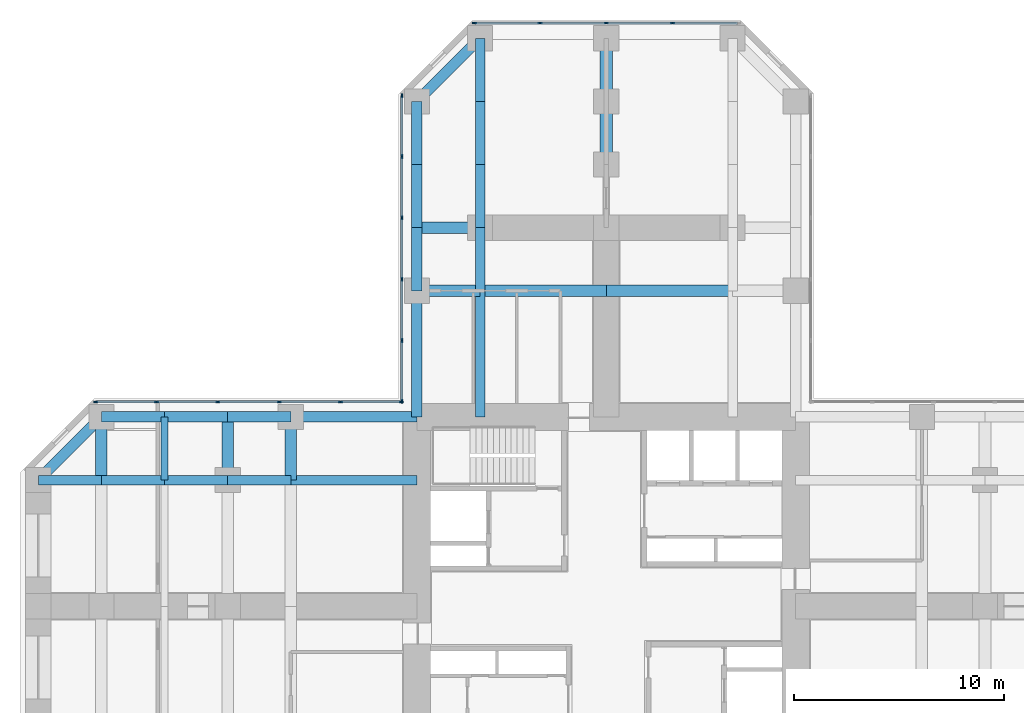
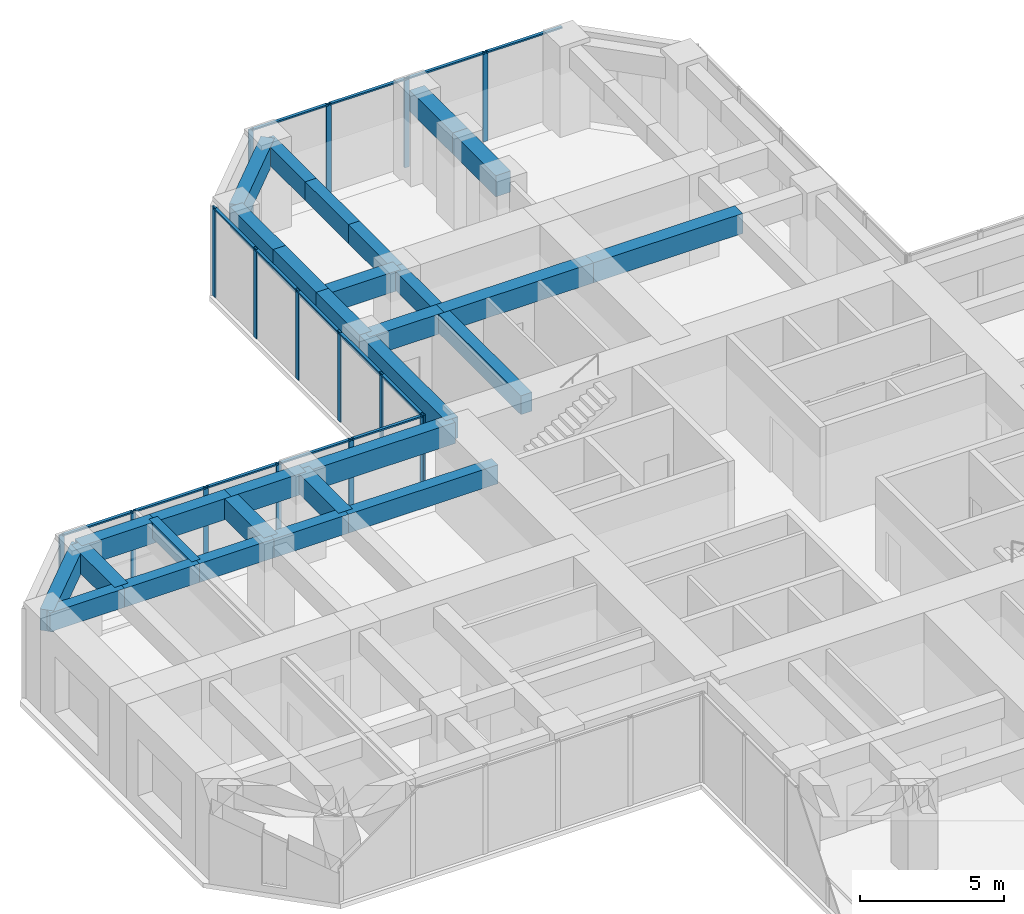
# One storey, part 5 of 12: 30 beams, 30 members, 3 elements without a shape of their own.
"""IFC4 building model written with IfcOpenShell, lengths in metres."""

import ifcopenshell
import ifcopenshell.guid

model = None  # the IFC model being written
_history = None  # IfcOwnerHistory: only IFC2X3 demands one
_inside = {}  # id of a spatial element -> (the spatial element, [elements in it])
_under = {}  # id of a project, library or spatial element -> (it, [spatial elements below it])
_declared = {}  # id of a project -> (the project, [libraries it declares])
_typed = {}  # id of a type object -> (the type object, [elements of that type])
_made_of = {}  # id of a material, layer set ... -> (it, [elements and type objects made of it])


def new_model(schema):
    """Start an empty IFC model of exactly this schema.

    Asked for "IFC4X3", IfcOpenShell would pick the latest addendum, in which some entities
    have other attributes; the version numbers below select the first issue.
    IFC2X3 requires an IfcOwnerHistory on every rooted entity: one is made here for all.
    """
    global model, _history
    if schema == "IFC4X3":
        model = ifcopenshell.file(schema_version=(4, 3, 0, 0))
    else:
        model = ifcopenshell.file(schema=schema)
    _inside.clear()
    _under.clear()
    _declared.clear()
    _typed.clear()
    _made_of.clear()
    _history = None
    if model.schema == "IFC2X3":
        org = make("IfcOrganization", Name="unknown")
        user = make(
            "IfcPersonAndOrganization",
            ThePerson=make("IfcPerson", FamilyName="unknown"),
            TheOrganization=org,
        )
        app = make(
            "IfcApplication",
            ApplicationDeveloper=org,
            Version="unknown",
            ApplicationFullName="unknown",
            ApplicationIdentifier="unknown",
        )
        _history = make(
            "IfcOwnerHistory",
            OwningUser=user,
            OwningApplication=app,
            ChangeAction="ADDED",
            CreationDate=0,
        )
    return model


def make(cls, **values):
    """One entity of the class cls with the attributes given. An attribute that is None is left unset."""
    return model.create_entity(
        cls, **{name: value for name, value in values.items() if value is not None}
    )


def rooted(cls, **values):
    """An entity with a GlobalId (a new one), such as an element, a storey or a relation."""
    return make(cls, GlobalId=ifcopenshell.guid.new(), OwnerHistory=_history, **values)


def si_unit(unit_type, name, prefix=None):
    """IfcSIUnit, for example si_unit("LENGTHUNIT", "METRE", prefix="MILLI")."""
    return make("IfcSIUnit", UnitType=unit_type, Prefix=prefix, Name=name)


def assignment(units):
    """IfcUnitAssignment: the units of a project."""
    return None if units is None else make("IfcUnitAssignment", Units=units)


def point(xyz):
    """IfcCartesianPoint."""
    return None if xyz is None else make("IfcCartesianPoint", Coordinates=xyz)


def direction(xyz):
    """IfcDirection."""
    return None if xyz is None else make("IfcDirection", DirectionRatios=xyz)


def frame(location, z_axis=None, x_axis=None):
    """IfcAxis2Placement3D, a coordinate frame: its origin and axes. An axis left out is left unset."""
    return make(
        "IfcAxis2Placement3D",
        Location=point(location),
        Axis=direction(z_axis),
        RefDirection=direction(x_axis),
    )


def frame_2d(location, x_axis=None):
    """IfcAxis2Placement2D, a coordinate frame in the plane: its origin and x axis."""
    return make(
        "IfcAxis2Placement2D", Location=point(location), RefDirection=direction(x_axis)
    )


def origin():
    """The frame at (0, 0, 0) with its axes left unset."""
    return frame((0.0, 0.0, 0.0))


def origin_2d():
    """The frame at (0, 0) in the plane with its x axis left unset."""
    return frame_2d((0.0, 0.0))


def place(relative_to, where):
    """IfcLocalPlacement: puts the frame where relative to a parent placement (None: the world)."""
    return make(
        "IfcLocalPlacement", PlacementRelTo=relative_to, RelativePlacement=where
    )


def context(
    kind, dimensions, precision=None, world=None, true_north=None, identifier=None
):
    """IfcGeometricRepresentationContext, for example the 3D "Model" context."""
    return make(
        "IfcGeometricRepresentationContext",
        ContextIdentifier=identifier,
        ContextType=kind,
        CoordinateSpaceDimension=dimensions,
        Precision=precision,
        WorldCoordinateSystem=world,
        TrueNorth=true_north,
    )


def subcontext(parent, identifier, kind, view, scale=None):
    """IfcGeometricRepresentationSubContext, for example "Body" below "Model"."""
    return make(
        "IfcGeometricRepresentationSubContext",
        ContextIdentifier=identifier,
        ContextType=kind,
        ParentContext=parent,
        TargetScale=scale,
        TargetView=view,
    )


def project(units=None, contexts=None):
    """IfcProject with its units and contexts."""
    return rooted(
        "IfcProject",
        Name="project",
        RepresentationContexts=contexts,
        UnitsInContext=assignment(units),
    )


def spatial(cls, under=None, at=None, **own):
    """A site, building, storey or space (cls), placed at a placement, below another one or the project."""
    s = rooted(cls, ObjectPlacement=at, **own)
    if under is not None:
        _under.setdefault(under.id(), (under, []))[1].append(s)
    return s


def profile(cls, at=None, kind="AREA", **sizes):
    """A parametric profile (cls). Its sizes go by their IFC names, for example OverallWidth=200.0."""
    return make(cls, ProfileType=kind, Position=at, **sizes)


def rectangle(**sizes):
    """IfcRectangleProfileDef."""
    return profile("IfcRectangleProfileDef", **sizes)


def extrude(swept, where, along, depth):
    """IfcExtrudedAreaSolid: the profile swept, set in the frame where, extruded along a direction by depth."""
    return make(
        "IfcExtrudedAreaSolid",
        SweptArea=swept,
        Position=where,
        ExtrudedDirection=direction(along),
        Depth=depth,
    )


def shape(context_of_items, identifier, shape_type, items):
    """IfcShapeRepresentation: the items that make up one representation, for example the "Body"."""
    return make(
        "IfcShapeRepresentation",
        ContextOfItems=context_of_items,
        RepresentationIdentifier=identifier,
        RepresentationType=shape_type,
        Items=items,
    )


def material(Name=None, Category=None):
    """IfcMaterial."""
    return make("IfcMaterial", Name=Name, Category=Category)


def material_profile(
    of_material, cross_section, Name=None, Category=None, Priority=None
):
    """IfcMaterialProfile: a cross section and its material."""
    return make(
        "IfcMaterialProfile",
        Name=Name,
        Material=of_material,
        Profile=cross_section,
        Priority=Priority,
        Category=Category,
    )


def profile_set(profiles, Name=None, composite=None):
    """IfcMaterialProfileSet."""
    return make(
        "IfcMaterialProfileSet",
        Name=Name,
        MaterialProfiles=profiles,
        CompositeProfile=composite,
    )


def made_of(thing, what):
    """Note that an element or type object is made of a material, layer set ...; save() writes the relation."""
    if what is not None:
        _made_of.setdefault(what.id(), (what, []))[1].append(thing)
    return thing


def type_object(cls, material=None, **own):
    """A type object (cls), such as IfcWallType, which elements share."""
    return made_of(rooted(cls, **own), material)


def element(
    cls,
    number,
    at=None,
    inside=None,
    cuts=None,
    type_object=None,
    material=None,
    context=None,
    identifier="Body",
    shape_type=None,
    held_by="IfcProductDefinitionShape",
    body=None,
    shapes=None,
    **own,
):
    """One element of the class cls, such as IfcWall. Its Tag is "e" and its number.

    at: its placement. inside: the storey or other place that contains it. cuts: it is an
    opening in that element (IfcRelVoidsElement). A single representation is given by context,
    identifier, shape_type and body (its items); several are given by shapes. held_by: the class
    of the entity that holds the representations. save() writes the other relations.
    """
    e = rooted(cls, Tag="e%d" % number, ObjectPlacement=at, **own)
    if body is not None:
        shapes = [shape(context, identifier, shape_type, body)]
    if shapes is not None:
        e.Representation = make(held_by, Representations=shapes)
    if inside is not None:
        _inside.setdefault(inside.id(), (inside, []))[1].append(e)
    if cuts is not None:
        rooted(
            "IfcRelVoidsElement", RelatingBuildingElement=cuts, RelatedOpeningElement=e
        )
    if type_object is not None:
        _typed.setdefault(type_object.id(), (type_object, []))[1].append(e)
    return made_of(e, material)


def aggregate(whole, parts):
    """IfcRelAggregates: a whole, such as a stair, and the parts it consists of."""
    return rooted("IfcRelAggregates", RelatingObject=whole, RelatedObjects=parts)


def save(model, path):
    """Write the relations noted so far, then the file.

    IfcRelAggregates (storeys below a building ...), IfcRelContainedInSpatialStructure (elements
    in a storey), IfcRelDefinesByType, IfcRelAssociatesMaterial and IfcRelDeclares: one each for
    every whole, place, type object, material and project.
    """
    for whole, parts in _under.values():
        aggregate(whole, parts)
    for where, things in _inside.values():
        rooted(
            "IfcRelContainedInSpatialStructure",
            RelatedElements=things,
            RelatingStructure=where,
        )
    for kind, things in _typed.values():
        rooted("IfcRelDefinesByType", RelatedObjects=things, RelatingType=kind)
    for what, things in _made_of.values():
        rooted("IfcRelAssociatesMaterial", RelatedObjects=things, RelatingMaterial=what)
    for by, libraries in _declared.values():
        rooted("IfcRelDeclares", RelatingContext=by, RelatedDefinitions=libraries)
    model.write(path)


model = new_model("IFC4")

# Units and contexts
model_context = context("Model", 3, precision=1e-05, world=origin(), true_north=direction((0.0, 1.0)))
body_context = subcontext(model_context, "Body", "Model", "MODEL_VIEW")
ifc_project = project(units=[si_unit("LENGTHUNIT", "METRE"), si_unit("AREAUNIT", "SQUARE_METRE"), si_unit("VOLUMEUNIT", "CUBIC_METRE"), si_unit("PLANEANGLEUNIT", "RADIAN"), si_unit("MASSUNIT", "GRAM", prefix="KILO")], contexts=[model_context])

# Site, building, storey
site_placement = place(None, origin())
site = spatial("IfcSite", under=ifc_project, at=site_placement, CompositionType="ELEMENT")
building_placement = place(site_placement, origin())
building = spatial("IfcBuilding", under=site, at=building_placement, Name="Torre Cruceta", CompositionType="ELEMENT")
storey_placement = place(building_placement, frame((0.0, 0.0, 43.5)))
storey = spatial("IfcBuildingStorey", under=building, at=storey_placement, Name="L10", CompositionType="ELEMENT", Elevation=43.5)

# Beams
ifc_material_1 = material(Name="Concrete G60 (fck 60 MPa)", Category="concrete")
ifc_material_profile_1 = material_profile(ifc_material_1, rectangle(XDim=0.60009765625, YDim=0.89990234375, at=origin_2d()), Name="RC 600X900")
ifc_profile_set_1 = profile_set([ifc_material_profile_1], Name="Concrete G60 (fck 60 MPa)")
beam_type_1 = type_object("IfcBeamType", Name="ARM CENTRE BEAM RC 600X900", PredefinedType="BEAM", material=ifc_profile_set_1)
for number, where, z_axis, x_axis, name in (
    (1, (0.0, 21.0, 3.35009765625), (0.0, 1.0, 0.0), (-1.0, 0.0, 0.0), "MB3 L10 N centre 1"),
    (2, (0.0, 24.0, 3.35009765625), (0.0, 1.0, 0.0), (-1.0, 0.0, 0.0), "MB3 L10 N centre 2"),
):
    element("IfcBeam", number, at=place(storey_placement, frame(where, z_axis=z_axis, x_axis=x_axis)), inside=storey, type_object=beam_type_1, Name=name, PredefinedType="BEAM", context=body_context, shape_type="SweptSolid", body=[
        extrude(rectangle(XDim=0.60009765625, YDim=0.89990234375, at=origin_2d()), origin(), (0.0, 0.0, 1.0), 3.0),
    ])
ifc_material_2 = material(Name="Concrete G60 (fck 60 MPa)", Category="concrete")
ifc_material_profile_2 = material_profile(ifc_material_2, rectangle(XDim=0.449951171875, YDim=0.800048828125, at=origin_2d()), Name="RC 450X800")
ifc_profile_set_2 = profile_set([ifc_material_profile_2], Name="Concrete G60 (fck 60 MPa)")
beam_type_2 = type_object("IfcBeamType", Name="COLUMN LINE BEAM RC 450X800", PredefinedType="BEAM", material=ifc_profile_set_2)
beam_1_placement = place(storey_placement, frame((-6.0, 9.0, 3.39990234375), z_axis=(0.0, 1.0, 0.0), x_axis=(-1.0, 0.0, 0.0)))
element("IfcBeam", 3, at=beam_1_placement, inside=storey, type_object=beam_type_2, Name="LB1 L10 N col+ 1", PredefinedType="BEAM", context=body_context, shape_type="SweptSolid", body=[
    extrude(rectangle(XDim=0.449951171875, YDim=0.800048828125, at=origin_2d()), origin(), (0.0, 0.0, 1.0), 6.0),
])
for number, where, z_axis, x_axis, name in (
    (4, (-6.0, 15.0, 3.39990234375), (0.0, 1.0, 0.0), (-1.0, 0.0, 0.0), "LB1 L10 N col+ 2"),
    (5, (-6.0, 18.0, 3.39990234375), (0.0, 1.0, 0.0), (-1.0, 0.0, 0.0), "LB1 L10 N col+ 3"),
    (6, (-6.0, 21.0, 3.39990234375), (0.0, 1.0, 0.0), (-1.0, 0.0, 0.0), "LB1 L10 N col+ 4"),
    (7, (-6.0, 24.0, 3.39990234375), (0.0, 1.0, 0.0), (-1.0, 0.0, 0.0), "LB1 L10 N col+ 5"),
):
    element("IfcBeam", number, at=place(storey_placement, frame(where, z_axis=z_axis, x_axis=x_axis)), inside=storey, type_object=beam_type_2, Name=name, PredefinedType="BEAM", context=body_context, shape_type="SweptSolid", body=[
        extrude(rectangle(XDim=0.449951171875, YDim=0.800048828125, at=origin_2d()), origin(), (0.0, 0.0, 1.0), 3.0),
    ])
beam_2_placement = place(storey_placement, frame((-9.0, 6.0, 3.39990234375), z_axis=(-1.0, 0.0, 0.0), x_axis=(0.0, -1.0, 0.0)))
element("IfcBeam", 8, at=beam_2_placement, inside=storey, type_object=beam_type_2, Name="LB1 L10 W col- 1", PredefinedType="BEAM", context=body_context, shape_type="SweptSolid", body=[
    extrude(rectangle(XDim=0.449951171875, YDim=0.800048828125, at=origin_2d()), origin(), (0.0, 0.0, 1.0), 6.0),
])
for number, where, z_axis, x_axis, name in (
    (9, (-15.0, 6.0, 3.39990234375), (-1.0, 0.0, 0.0), (0.0, -1.0, 0.0), "LB1 L10 W col- 2"),
    (10, (-18.0, 6.0, 3.39990234375), (-1.0, 0.0, 0.0), (0.0, -1.0, 0.0), "LB1 L10 W col- 3"),
    (11, (-21.0, 6.0, 3.39990234375), (-1.0, 0.0, 0.0), (0.0, -1.0, 0.0), "LB1 L10 W col- 4"),
    (12, (-24.0, 6.0, 3.39990234375), (-1.0, 0.0, 0.0), (0.0, -1.0, 0.0), "LB1 L10 W col- 5"),
):
    element("IfcBeam", number, at=place(storey_placement, frame(where, z_axis=z_axis, x_axis=x_axis)), inside=storey, type_object=beam_type_2, Name=name, PredefinedType="BEAM", context=body_context, shape_type="SweptSolid", body=[
        extrude(rectangle(XDim=0.449951171875, YDim=0.800048828125, at=origin_2d()), origin(), (0.0, 0.0, 1.0), 3.0),
    ])
ifc_material_3 = material(Name="Concrete G60 (fck 60 MPa)", Category="concrete")
ifc_material_profile_3 = material_profile(ifc_material_3, rectangle(XDim=0.550048828125, YDim=0.85009765625, at=origin_2d()), Name="RC 550X850")
ifc_profile_set_3 = profile_set([ifc_material_profile_3], Name="Concrete G60 (fck 60 MPa)")
beam_type_3 = type_object("IfcBeamType", Name="CROSS BEAM RC 550X850", PredefinedType="BEAM", material=ifc_profile_set_3)
for number, where, z_axis, x_axis, name in (
    (13, (6.0, 15.0, 3.375), (-1.0, 0.0, 0.0), (0.0, -1.0, 0.0), "GB4 L10 N cross15 2"),
    (14, (0.0, 15.0, 3.375), (-1.0, 0.0, 0.0), (0.0, -1.0, 0.0), "GB4 L10 N cross15 3"),
):
    element("IfcBeam", number, at=place(storey_placement, frame(where, z_axis=z_axis, x_axis=x_axis)), inside=storey, type_object=beam_type_3, Name=name, PredefinedType="BEAM", context=body_context, shape_type="SweptSolid", body=[
        extrude(rectangle(XDim=0.550048828125, YDim=0.85009765625, at=origin_2d()), origin(), (0.0, 0.0, 1.0), 6.0),
    ])
for number, where, z_axis, x_axis, name in (
    (15, (-6.0, 15.0, 3.375), (-1.0, 0.0, 0.0), (0.0, -1.0, 0.0), "GB4 L10 N cross15 4"),
    (16, (-6.0, 18.0, 3.375), (-1.0, 0.0, 0.0), (0.0, -1.0, 0.0), "GB4 L10 N cross18b 1"),
    (17, (-15.0, 9.0, 3.375), (0.0, -1.0, 0.0), (1.0, 0.0, 0.0), "GB4 L10 W cross15 1"),
    (18, (-18.0, 9.0, 3.375), (0.0, -1.0, 0.0), (1.0, 0.0, 0.0), "GB4 L10 W cross18 1"),
    (19, (-24.0, 9.0, 3.375), (0.0, -1.0, 0.0), (1.0, 0.0, 0.0), "GB4 L10 W cross24 1"),
):
    element("IfcBeam", number, at=place(storey_placement, frame(where, z_axis=z_axis, x_axis=x_axis)), inside=storey, type_object=beam_type_3, Name=name, PredefinedType="BEAM", context=body_context, shape_type="SweptSolid", body=[
        extrude(rectangle(XDim=0.550048828125, YDim=0.85009765625, at=origin_2d()), origin(), (0.0, 0.0, 1.0), 3.0),
    ])

# Curtain wall, members
ifc_material_4 = material(Name="Aluminium unitised curtain wall", Category="aluminium")
curtain_wall_type = type_object("IfcCurtainWallType", Name="CURTAIN WALL CW-A OFFICE LOW RISE", PredefinedType="USERDEFINED", material=ifc_material_4)
curtain_wall_1_placement = place(storey_placement, origin())
curtain_wall_1 = element("IfcCurtainWall", 20, at=curtain_wall_1_placement, inside=storey, type_object=curtain_wall_type, Name="CW-A L10 N tip 07", ObjectType="UNITISED", PredefinedType="USERDEFINED")
ifc_material_5 = material(Name="Aluminium mullion", Category="aluminium")
ifc_material_profile_4 = material_profile(ifc_material_5, rectangle(XDim=0.06494140625, YDim=0.199951171875, at=origin_2d()), Name="AL 65X200")
ifc_profile_set_4 = profile_set([ifc_material_profile_4], Name="Aluminium mullion")
member_type_1 = type_object("IfcMemberType", Name="CW-A MULLION 65X200", PredefinedType="MULLION", material=ifc_profile_set_4)
member_1_placement = place(storey_placement, frame((3.149169921875, 27.719970703125, 0.0), z_axis=(0.0, 0.0, 1.0), x_axis=(0.0, -1.0, 0.0)))
member_1 = element("IfcMember", 21, at=member_1_placement, type_object=member_type_1, Name="CW-A mullion 2", PredefinedType="MULLION", context=body_context, shape_type="SweptSolid", body=[
    extrude(rectangle(XDim=0.06494140625, YDim=0.199951171875, at=origin_2d()), origin(), (0.0, 0.0, 1.0), 3.800048828125),
])
member_2_placement = place(storey_placement, frame((0.0, 27.719970703125, 0.0), z_axis=(0.0, 0.0, 1.0), x_axis=(0.0, -1.0, 0.0)))
member_2 = element("IfcMember", 22, at=member_2_placement, type_object=member_type_1, Name="CW-A mullion 3", PredefinedType="MULLION", context=body_context, shape_type="SweptSolid", body=[
    extrude(rectangle(XDim=0.06494140625, YDim=0.199951171875, at=origin_2d()), origin(), (0.0, 0.0, 1.0), 3.800048828125),
])
member_3_placement = place(storey_placement, frame((-3.149169921875, 27.719970703125, 0.0), z_axis=(0.0, 0.0, 1.0), x_axis=(0.0, -1.0, 0.0)))
member_3 = element("IfcMember", 23, at=member_3_placement, type_object=member_type_1, Name="CW-A mullion 4", PredefinedType="MULLION", context=body_context, shape_type="SweptSolid", body=[
    extrude(rectangle(XDim=0.06494140625, YDim=0.199951171875, at=origin_2d()), origin(), (0.0, 0.0, 1.0), 3.800048828125),
])
member_4_placement = place(storey_placement, frame((-6.265625, 27.719970703125, 0.0), z_axis=(0.0, 0.0, 1.0), x_axis=(0.0, -1.0, 0.0)))
member_4 = element("IfcMember", 24, at=member_4_placement, type_object=member_type_1, Name="CW-A mullion 5", PredefinedType="MULLION", context=body_context, shape_type="SweptSolid", body=[
    extrude(rectangle(XDim=0.06494140625, YDim=0.199951171875, at=origin_2d()), origin(), (0.0, 0.0, 1.0), 3.800048828125),
])

curtain_wall_2_placement = place(storey_placement, origin())
curtain_wall_2 = element("IfcCurtainWall", 25, at=curtain_wall_2_placement, inside=storey, type_object=curtain_wall_type, Name="CW-A L10 N side 09", ObjectType="UNITISED", PredefinedType="USERDEFINED")
member_5_placement = place(storey_placement, frame((-9.719970703125, 24.265625, 0.0), z_axis=(0.0, 0.0, 1.0), x_axis=(1.0, 0.0, 0.0)))
member_5 = element("IfcMember", 26, at=member_5_placement, type_object=member_type_1, Name="CW-A mullion 1", PredefinedType="MULLION", context=body_context, shape_type="SweptSolid", body=[
    extrude(rectangle(XDim=0.06494140625, YDim=0.199951171875, at=origin_2d()), origin(), (0.0, 0.0, 1.0), 3.800048828125),
])
member_6_placement = place(storey_placement, frame((-9.719970703125, 21.382568359375, 0.0), z_axis=(0.0, 0.0, 1.0), x_axis=(1.0, 0.0, 0.0)))
member_6 = element("IfcMember", 27, at=member_6_placement, type_object=member_type_1, Name="CW-A mullion 2", PredefinedType="MULLION", context=body_context, shape_type="SweptSolid", body=[
    extrude(rectangle(XDim=0.06494140625, YDim=0.199951171875, at=origin_2d()), origin(), (0.0, 0.0, 1.0), 3.800048828125),
])
member_7_placement = place(storey_placement, frame((-9.719970703125, 18.467041015625, 0.0), z_axis=(0.0, 0.0, 1.0), x_axis=(1.0, 0.0, 0.0)))
member_7 = element("IfcMember", 28, at=member_7_placement, type_object=member_type_1, Name="CW-A mullion 3", PredefinedType="MULLION", context=body_context, shape_type="SweptSolid", body=[
    extrude(rectangle(XDim=0.06494140625, YDim=0.199951171875, at=origin_2d()), origin(), (0.0, 0.0, 1.0), 3.800048828125),
])
member_8_placement = place(storey_placement, frame((-9.719970703125, 15.55126953125, 0.0), z_axis=(0.0, 0.0, 1.0), x_axis=(1.0, 0.0, 0.0)))
member_8 = element("IfcMember", 29, at=member_8_placement, type_object=member_type_1, Name="CW-A mullion 4", PredefinedType="MULLION", context=body_context, shape_type="SweptSolid", body=[
    extrude(rectangle(XDim=0.06494140625, YDim=0.199951171875, at=origin_2d()), origin(), (0.0, 0.0, 1.0), 3.800048828125),
])
member_9_placement = place(storey_placement, frame((-9.719970703125, 12.6357421875, 0.0), z_axis=(0.0, 0.0, 1.0), x_axis=(1.0, 0.0, 0.0)))
member_9 = element("IfcMember", 30, at=member_9_placement, type_object=member_type_1, Name="CW-A mullion 5", PredefinedType="MULLION", context=body_context, shape_type="SweptSolid", body=[
    extrude(rectangle(XDim=0.06494140625, YDim=0.199951171875, at=origin_2d()), origin(), (0.0, 0.0, 1.0), 3.800048828125),
])
member_10_placement = place(storey_placement, frame((-9.719970703125, 9.75244140625, 0.0), z_axis=(0.0, 0.0, 1.0), x_axis=(1.0, 0.0, 0.0)))
member_10 = element("IfcMember", 31, at=member_10_placement, type_object=member_type_1, Name="CW-A mullion 6", PredefinedType="MULLION", context=body_context, shape_type="SweptSolid", body=[
    extrude(rectangle(XDim=0.06494140625, YDim=0.199951171875, at=origin_2d()), origin(), (0.0, 0.0, 1.0), 3.800048828125),
])

curtain_wall_3_placement = place(storey_placement, origin())
curtain_wall_3 = element("IfcCurtainWall", 32, at=curtain_wall_3_placement, inside=storey, type_object=curtain_wall_type, Name="CW-A L10 W side 10", ObjectType="UNITISED", PredefinedType="USERDEFINED")
member_11_placement = place(storey_placement, frame((-9.75244140625, 9.719970703125, 0.0), z_axis=(0.0, 0.0, 1.0), x_axis=(0.0, -1.0, 0.0)))
member_11 = element("IfcMember", 33, at=member_11_placement, type_object=member_type_1, Name="CW-A mullion 1", PredefinedType="MULLION", context=body_context, shape_type="SweptSolid", body=[
    extrude(rectangle(XDim=0.06494140625, YDim=0.199951171875, at=origin_2d()), origin(), (0.0, 0.0, 1.0), 3.800048828125),
])
member_12_placement = place(storey_placement, frame((-12.6357421875, 9.719970703125, 0.0), z_axis=(0.0, 0.0, 1.0), x_axis=(0.0, -1.0, 0.0)))
member_12 = element("IfcMember", 34, at=member_12_placement, type_object=member_type_1, Name="CW-A mullion 2", PredefinedType="MULLION", context=body_context, shape_type="SweptSolid", body=[
    extrude(rectangle(XDim=0.06494140625, YDim=0.199951171875, at=origin_2d()), origin(), (0.0, 0.0, 1.0), 3.800048828125),
])
member_13_placement = place(storey_placement, frame((-15.55126953125, 9.719970703125, 0.0), z_axis=(0.0, 0.0, 1.0), x_axis=(0.0, -1.0, 0.0)))
member_13 = element("IfcMember", 35, at=member_13_placement, type_object=member_type_1, Name="CW-A mullion 3", PredefinedType="MULLION", context=body_context, shape_type="SweptSolid", body=[
    extrude(rectangle(XDim=0.06494140625, YDim=0.199951171875, at=origin_2d()), origin(), (0.0, 0.0, 1.0), 3.800048828125),
])
member_14_placement = place(storey_placement, frame((-18.467041015625, 9.719970703125, 0.0), z_axis=(0.0, 0.0, 1.0), x_axis=(0.0, -1.0, 0.0)))
member_14 = element("IfcMember", 36, at=member_14_placement, type_object=member_type_1, Name="CW-A mullion 4", PredefinedType="MULLION", context=body_context, shape_type="SweptSolid", body=[
    extrude(rectangle(XDim=0.06494140625, YDim=0.199951171875, at=origin_2d()), origin(), (0.0, 0.0, 1.0), 3.800048828125),
])
member_15_placement = place(storey_placement, frame((-21.382568359375, 9.719970703125, 0.0), z_axis=(0.0, 0.0, 1.0), x_axis=(0.0, -1.0, 0.0)))
member_15 = element("IfcMember", 37, at=member_15_placement, type_object=member_type_1, Name="CW-A mullion 5", PredefinedType="MULLION", context=body_context, shape_type="SweptSolid", body=[
    extrude(rectangle(XDim=0.06494140625, YDim=0.199951171875, at=origin_2d()), origin(), (0.0, 0.0, 1.0), 3.800048828125),
])
member_16_placement = place(storey_placement, frame((-24.265625, 9.719970703125, 0.0), z_axis=(0.0, 0.0, 1.0), x_axis=(0.0, -1.0, 0.0)))
member_16 = element("IfcMember", 38, at=member_16_placement, type_object=member_type_1, Name="CW-A mullion 6", PredefinedType="MULLION", context=body_context, shape_type="SweptSolid", body=[
    extrude(rectangle(XDim=0.06494140625, YDim=0.199951171875, at=origin_2d()), origin(), (0.0, 0.0, 1.0), 3.800048828125),
])

# Member
ifc_material_6 = material(Name="Aluminium transom", Category="aluminium")
ifc_material_profile_5 = material_profile(ifc_material_6, rectangle(XDim=0.1201171875, YDim=0.06494140625, at=origin_2d()), Name="AL 120X65")
ifc_profile_set_5 = profile_set([ifc_material_profile_5], Name="Aluminium transom")
member_type_2 = type_object("IfcMemberType", Name="CW-A TRANSOM 65X120", PredefinedType="USERDEFINED", material=ifc_profile_set_5)
member_17_placement = place(storey_placement, frame((6.233154296875, 27.719970703125, 3.767578125), z_axis=(-1.0, 0.0, 0.0), x_axis=(0.0, -1.0, 0.0)))
member_17 = element("IfcMember", 39, at=member_17_placement, type_object=member_type_2, Name="CW-A transom 1", ObjectType="TRANSOM", PredefinedType="USERDEFINED", context=body_context, shape_type="SweptSolid", body=[
    extrude(rectangle(XDim=0.1201171875, YDim=0.06494140625, at=origin_2d()), origin(), (0.0, 0.0, 1.0), 3.051513671875),
])

member_18_placement = place(storey_placement, frame((3.11669921875, 27.719970703125, 3.767578125), z_axis=(-1.0, 0.0, 0.0), x_axis=(0.0, -1.0, 0.0)))
member_18 = element("IfcMember", 40, at=member_18_placement, type_object=member_type_2, Name="CW-A transom 2", ObjectType="TRANSOM", PredefinedType="USERDEFINED", context=body_context, shape_type="SweptSolid", body=[
    extrude(rectangle(XDim=0.1201171875, YDim=0.06494140625, at=origin_2d()), origin(), (0.0, 0.0, 1.0), 3.084228515625),
])

member_19_placement = place(storey_placement, frame((-0.032470703125, 27.719970703125, 3.767578125), z_axis=(-1.0, 0.0, 0.0), x_axis=(0.0, -1.0, 0.0)))
member_19 = element("IfcMember", 41, at=member_19_placement, type_object=member_type_2, Name="CW-A transom 3", ObjectType="TRANSOM", PredefinedType="USERDEFINED", context=body_context, shape_type="SweptSolid", body=[
    extrude(rectangle(XDim=0.1201171875, YDim=0.06494140625, at=origin_2d()), origin(), (0.0, 0.0, 1.0), 3.084228515625),
])

member_20_placement = place(storey_placement, frame((-3.181640625, 27.719970703125, 3.767578125), z_axis=(-1.0, 0.0, 0.0), x_axis=(0.0, -1.0, 0.0)))
member_20 = element("IfcMember", 42, at=member_20_placement, type_object=member_type_2, Name="CW-A transom 4", ObjectType="TRANSOM", PredefinedType="USERDEFINED", context=body_context, shape_type="SweptSolid", body=[
    extrude(rectangle(XDim=0.1201171875, YDim=0.06494140625, at=origin_2d()), origin(), (0.0, 0.0, 1.0), 3.051513671875),
])

aggregate(curtain_wall_1, [member_1, member_2, member_3, member_4, member_17, member_18, member_19, member_20])

member_21_placement = place(storey_placement, frame((-9.719970703125, 24.233154296875, 3.767578125), z_axis=(0.0, -1.0, 0.0), x_axis=(1.0, 0.0, 0.0)))
member_21 = element("IfcMember", 43, at=member_21_placement, type_object=member_type_2, Name="CW-A transom 1", ObjectType="TRANSOM", PredefinedType="USERDEFINED", context=body_context, shape_type="SweptSolid", body=[
    extrude(rectangle(XDim=0.1201171875, YDim=0.06494140625, at=origin_2d()), origin(), (0.0, 0.0, 1.0), 2.818115234375),
])

member_22_placement = place(storey_placement, frame((-9.719970703125, 21.35009765625, 3.767578125), z_axis=(0.0, -1.0, 0.0), x_axis=(1.0, 0.0, 0.0)))
member_22 = element("IfcMember", 44, at=member_22_placement, type_object=member_type_2, Name="CW-A transom 2", ObjectType="TRANSOM", PredefinedType="USERDEFINED", context=body_context, shape_type="SweptSolid", body=[
    extrude(rectangle(XDim=0.1201171875, YDim=0.06494140625, at=origin_2d()), origin(), (0.0, 0.0, 1.0), 2.8505859375),
])

member_23_placement = place(storey_placement, frame((-9.719970703125, 18.434326171875, 3.767578125), z_axis=(0.0, -1.0, 0.0), x_axis=(1.0, 0.0, 0.0)))
member_23 = element("IfcMember", 45, at=member_23_placement, type_object=member_type_2, Name="CW-A transom 3", ObjectType="TRANSOM", PredefinedType="USERDEFINED", context=body_context, shape_type="SweptSolid", body=[
    extrude(rectangle(XDim=0.1201171875, YDim=0.06494140625, at=origin_2d()), origin(), (0.0, 0.0, 1.0), 2.8505859375),
])

member_24_placement = place(storey_placement, frame((-9.719970703125, 15.518798828125, 3.767578125), z_axis=(0.0, -1.0, 0.0), x_axis=(1.0, 0.0, 0.0)))
member_24 = element("IfcMember", 46, at=member_24_placement, type_object=member_type_2, Name="CW-A transom 4", ObjectType="TRANSOM", PredefinedType="USERDEFINED", context=body_context, shape_type="SweptSolid", body=[
    extrude(rectangle(XDim=0.1201171875, YDim=0.06494140625, at=origin_2d()), origin(), (0.0, 0.0, 1.0), 2.8505859375),
])

member_25_placement = place(storey_placement, frame((-9.719970703125, 12.60302734375, 3.767578125), z_axis=(0.0, -1.0, 0.0), x_axis=(1.0, 0.0, 0.0)))
member_25 = element("IfcMember", 47, at=member_25_placement, type_object=member_type_2, Name="CW-A transom 5", ObjectType="TRANSOM", PredefinedType="USERDEFINED", context=body_context, shape_type="SweptSolid", body=[
    extrude(rectangle(XDim=0.1201171875, YDim=0.06494140625, at=origin_2d()), origin(), (0.0, 0.0, 1.0), 2.818115234375),
])

aggregate(curtain_wall_2, [member_5, member_6, member_7, member_8, member_9, member_10, member_21, member_22, member_23, member_24, member_25])

member_26_placement = place(storey_placement, frame((-9.784912109375, 9.719970703125, 3.767578125), z_axis=(-1.0, 0.0, 0.0), x_axis=(0.0, -1.0, 0.0)))
member_26 = element("IfcMember", 48, at=member_26_placement, type_object=member_type_2, Name="CW-A transom 1", ObjectType="TRANSOM", PredefinedType="USERDEFINED", context=body_context, shape_type="SweptSolid", body=[
    extrude(rectangle(XDim=0.1201171875, YDim=0.06494140625, at=origin_2d()), origin(), (0.0, 0.0, 1.0), 2.818115234375),
])

member_27_placement = place(storey_placement, frame((-12.668212890625, 9.719970703125, 3.767578125), z_axis=(-1.0, 0.0, 0.0), x_axis=(0.0, -1.0, 0.0)))
member_27 = element("IfcMember", 49, at=member_27_placement, type_object=member_type_2, Name="CW-A transom 2", ObjectType="TRANSOM", PredefinedType="USERDEFINED", context=body_context, shape_type="SweptSolid", body=[
    extrude(rectangle(XDim=0.1201171875, YDim=0.06494140625, at=origin_2d()), origin(), (0.0, 0.0, 1.0), 2.8505859375),
])

member_28_placement = place(storey_placement, frame((-15.583740234375, 9.719970703125, 3.767578125), z_axis=(-1.0, 0.0, 0.0), x_axis=(0.0, -1.0, 0.0)))
member_28 = element("IfcMember", 50, at=member_28_placement, type_object=member_type_2, Name="CW-A transom 3", ObjectType="TRANSOM", PredefinedType="USERDEFINED", context=body_context, shape_type="SweptSolid", body=[
    extrude(rectangle(XDim=0.1201171875, YDim=0.06494140625, at=origin_2d()), origin(), (0.0, 0.0, 1.0), 2.8505859375),
])

member_29_placement = place(storey_placement, frame((-18.49951171875, 9.719970703125, 3.767578125), z_axis=(-1.0, 0.0, 0.0), x_axis=(0.0, -1.0, 0.0)))
member_29 = element("IfcMember", 51, at=member_29_placement, type_object=member_type_2, Name="CW-A transom 4", ObjectType="TRANSOM", PredefinedType="USERDEFINED", context=body_context, shape_type="SweptSolid", body=[
    extrude(rectangle(XDim=0.1201171875, YDim=0.06494140625, at=origin_2d()), origin(), (0.0, 0.0, 1.0), 2.8505859375),
])

member_30_placement = place(storey_placement, frame((-21.4150390625, 9.719970703125, 3.767578125), z_axis=(-1.0, 0.0, 0.0), x_axis=(0.0, -1.0, 0.0)))
member_30 = element("IfcMember", 52, at=member_30_placement, type_object=member_type_2, Name="CW-A transom 5", ObjectType="TRANSOM", PredefinedType="USERDEFINED", context=body_context, shape_type="SweptSolid", body=[
    extrude(rectangle(XDim=0.1201171875, YDim=0.06494140625, at=origin_2d()), origin(), (0.0, 0.0, 1.0), 2.818115234375),
])

aggregate(curtain_wall_3, [member_11, member_12, member_13, member_14, member_15, member_16, member_26, member_27, member_28, member_29, member_30])

# Beams
ifc_material_7 = material(Name="Concrete G60 (fck 60 MPa)", Category="concrete")
ifc_material_profile_6 = material_profile(ifc_material_7, rectangle(XDim=0.35009765625, YDim=0.64990234375, at=origin_2d()), Name="RC 350X650")
ifc_profile_set_6 = profile_set([ifc_material_profile_6], Name="Concrete G60 (fck 60 MPa)")
beam_type_4 = type_object("IfcBeamType", Name="SECONDARY BEAM RC 350X650", PredefinedType="JOIST", material=ifc_profile_set_6)
beam_3_placement = place(storey_placement, frame((-21.0, 9.0, 3.47509765625), z_axis=(0.0, -1.0, 0.0), x_axis=(1.0, 0.0, 0.0)))
element("IfcBeam", 53, at=beam_3_placement, inside=storey, type_object=beam_type_4, Name="JB3 L10 W sec21 1", PredefinedType="JOIST", context=body_context, shape_type="SweptSolid", body=[
    extrude(rectangle(XDim=0.35009765625, YDim=0.64990234375, at=origin_2d()), origin(), (0.0, 0.0, 1.0), 3.0),
])
ifc_material_8 = material(Name="Concrete G60 (fck 60 MPa)", Category="concrete")
ifc_material_profile_7 = material_profile(ifc_material_8, rectangle(XDim=0.5, YDim=0.89990234375, at=origin_2d()), Name="RC 500X900")
ifc_profile_set_7 = profile_set([ifc_material_profile_7], Name="Concrete G60 (fck 60 MPa)")
beam_type_5 = type_object("IfcBeamType", Name="SPANDREL BEAM RC 500X900", PredefinedType="SPANDREL", material=ifc_profile_set_7)
beam_4_placement = place(storey_placement, frame((-9.0, 9.0, 3.35009765625), z_axis=(0.0, 1.0, 0.0), x_axis=(-1.0, 0.0, 0.0)))
element("IfcBeam", 54, at=beam_4_placement, inside=storey, type_object=beam_type_5, Name="SB4 L10 N side+ 1", PredefinedType="SPANDREL", context=body_context, shape_type="SweptSolid", body=[
    extrude(rectangle(XDim=0.5, YDim=0.89990234375, at=origin_2d()), origin(), (0.0, 0.0, 1.0), 6.0),
])
for number, where, z_axis, x_axis, name in (
    (55, (-9.0, 15.0, 3.35009765625), (0.0, 1.0, 0.0), (-1.0, 0.0, 0.0), "SB4 L10 N side+ 2"),
    (56, (-9.0, 18.0, 3.35009765625), (0.0, 1.0, 0.0), (-1.0, 0.0, 0.0), "SB4 L10 N side+ 3"),
    (57, (-9.0, 21.0, 3.35009765625), (0.0, 1.0, 0.0), (-1.0, 0.0, 0.0), "SB4 L10 N side+ 4"),
):
    element("IfcBeam", number, at=place(storey_placement, frame(where, z_axis=z_axis, x_axis=x_axis)), inside=storey, type_object=beam_type_5, Name=name, PredefinedType="SPANDREL", context=body_context, shape_type="SweptSolid", body=[
        extrude(rectangle(XDim=0.5, YDim=0.89990234375, at=origin_2d()), origin(), (0.0, 0.0, 1.0), 3.0),
    ])
beam_5_placement = place(storey_placement, frame((-9.0, 24.0, 3.35009765625), z_axis=(0.707106781187, 0.707106781187, 0.0), x_axis=(-0.707106781187, 0.707106781187, 0.0)))
element("IfcBeam", 58, at=beam_5_placement, inside=storey, type_object=beam_type_5, Name="SB4 L10 N side+ 5", PredefinedType="SPANDREL", context=body_context, shape_type="SweptSolid", body=[
    extrude(rectangle(XDim=0.5, YDim=0.89990234375, at=origin_2d()), origin(), (0.0, 0.0, 1.0), 4.24267578125),
])
beam_6_placement = place(storey_placement, frame((-9.0, 9.0, 3.35009765625), z_axis=(-1.0, 0.0, 0.0), x_axis=(0.0, -1.0, 0.0)))
element("IfcBeam", 59, at=beam_6_placement, inside=storey, type_object=beam_type_5, Name="SB4 L10 W side- 1", PredefinedType="SPANDREL", context=body_context, shape_type="SweptSolid", body=[
    extrude(rectangle(XDim=0.5, YDim=0.89990234375, at=origin_2d()), origin(), (0.0, 0.0, 1.0), 6.0),
])
for number, where, z_axis, x_axis, name in (
    (60, (-15.0, 9.0, 3.35009765625), (-1.0, 0.0, 0.0), (0.0, -1.0, 0.0), "SB4 L10 W side- 2"),
    (61, (-18.0, 9.0, 3.35009765625), (-1.0, 0.0, 0.0), (0.0, -1.0, 0.0), "SB4 L10 W side- 3"),
    (62, (-21.0, 9.0, 3.35009765625), (-1.0, 0.0, 0.0), (0.0, -1.0, 0.0), "SB4 L10 W side- 4"),
):
    element("IfcBeam", number, at=place(storey_placement, frame(where, z_axis=z_axis, x_axis=x_axis)), inside=storey, type_object=beam_type_5, Name=name, PredefinedType="SPANDREL", context=body_context, shape_type="SweptSolid", body=[
        extrude(rectangle(XDim=0.5, YDim=0.89990234375, at=origin_2d()), origin(), (0.0, 0.0, 1.0), 3.0),
    ])
beam_7_placement = place(storey_placement, frame((-24.0, 9.0, 3.35009765625), z_axis=(-0.707106781187, -0.707106781187, 0.0), x_axis=(0.707106781187, -0.707106781187, 0.0)))
element("IfcBeam", 63, at=beam_7_placement, inside=storey, type_object=beam_type_5, Name="SB4 L10 W side- 5", PredefinedType="SPANDREL", context=body_context, shape_type="SweptSolid", body=[
    extrude(rectangle(XDim=0.5, YDim=0.89990234375, at=origin_2d()), origin(), (0.0, 0.0, 1.0), 4.24267578125),
])

save(model, "model.ifc")
